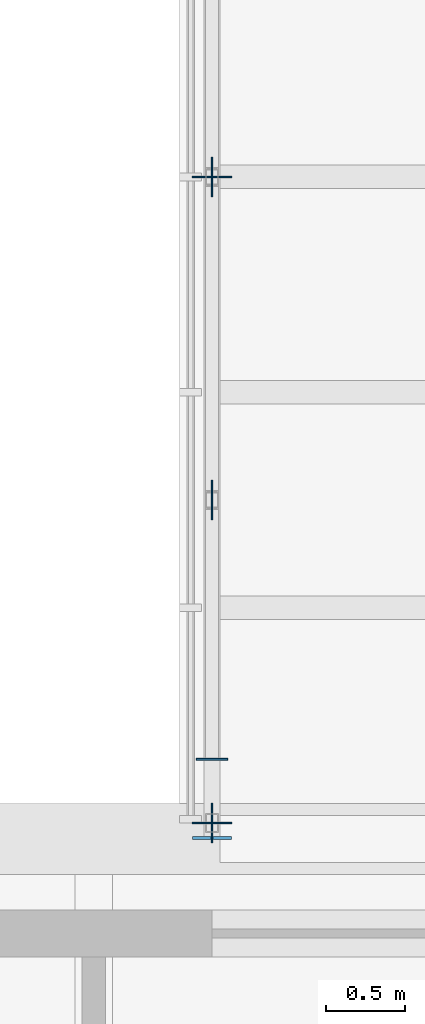
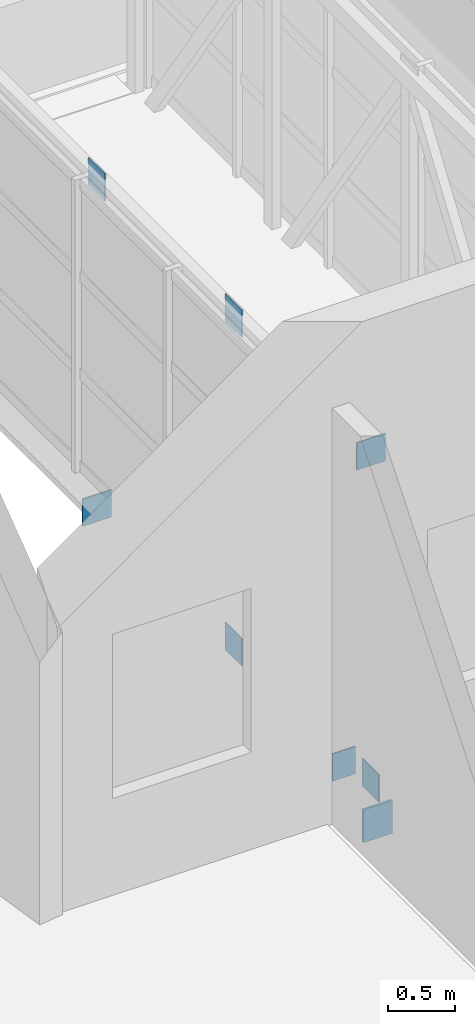
# One storey, part 37 of 67: 8 plates.
"""IFC4 building model written with IfcOpenShell, lengths in metres."""

from ifc_helpers import new_model, si_unit, direction, frame, origin, origin_2d, place, context, subcontext, project, spatial, rectangle, extrude, material, layer, layer_set, type_object, element, save


model = new_model("IFC4")

# Units and contexts
model_context = context("Model", 3, precision=1e-05, world=origin(), true_north=direction((0.0, 1.0)))
body_context = subcontext(model_context, "Body", "Model", "MODEL_VIEW")
ifc_project = project(units=[si_unit("LENGTHUNIT", "METRE"), si_unit("AREAUNIT", "SQUARE_METRE"), si_unit("VOLUMEUNIT", "CUBIC_METRE"), si_unit("PLANEANGLEUNIT", "RADIAN"), si_unit("MASSUNIT", "GRAM", prefix="KILO")], contexts=[model_context])

# Site, building, storey
site_placement = place(None, origin())
site = spatial("IfcSite", under=ifc_project, at=site_placement, CompositionType="ELEMENT")
building_placement = place(site_placement, origin())
building = spatial("IfcBuilding", under=site, at=building_placement, Name="Kiln Court Media Centre", CompositionType="ELEMENT")
storey_placement = place(building_placement, frame((0.0, 0.0, 19.800048828125)))
storey = spatial("IfcBuildingStorey", under=building, at=storey_placement, Name="L04", CompositionType="ELEMENT", Elevation=19.800048828125)

# Plates
ifc_material_1 = material(Name="Steel ASTM A572 Gr 50", Category="steel")
ifc_layer_1 = layer(ifc_material_1, 0.011962890625)
ifc_layer_set_1 = layer_set([ifc_layer_1], Name="Steel ASTM A572 Gr 50 200x12x250 connection plate")
plate_type_1 = type_object("IfcPlateType", Name="Steel ASTM A572 Gr 50 200x12x250 connection plate", PredefinedType="USERDEFINED", material=ifc_layer_set_1)
plate_1_placement = place(storey_placement, frame((30.14990234375, 25.7060546875, -0.6201171875), z_axis=(0.0, 0.0, 1.0), x_axis=(1.0, 0.0, 0.0)))
element("IfcPlate", 1, at=plate_1_placement, inside=storey, type_object=plate_type_1, Name="bridge BR-2 side truss 1 end 1 seat beam connection plate", ObjectType="CONNECTION PLATE", PredefinedType="USERDEFINED", context=body_context, shape_type="SweptSolid", body=[
    extrude(rectangle(XDim=0.199951171875, YDim=0.011962890625, at=origin_2d()), origin(), (0.0, 0.0, 1.0), 0.25),
])
ifc_material_2 = material(Name="Steel ASTM A572 Gr 50", Category="steel")
ifc_layer_2 = layer(ifc_material_2, 0.02001953125)
ifc_layer_set_2 = layer_set([ifc_layer_2], Name="Steel ASTM A572 Gr 50 250x20x300 seat bracket plate")
plate_type_2 = type_object("IfcPlateType", Name="Steel ASTM A572 Gr 50 250x20x300 seat bracket plate", PredefinedType="USERDEFINED", material=ifc_layer_set_2)
plate_2_placement = place(storey_placement, frame((30.14990234375, 25.205078125, -0.8662109375), z_axis=(0.0, 0.0, 1.0), x_axis=(1.0, 0.0, 0.0)))
element("IfcPlate", 2, at=plate_2_placement, inside=storey, type_object=plate_type_2, Name="bridge BR-2 side truss 1 end 1 seat bracket plate", ObjectType="SEAT BRACKET PLATE", PredefinedType="USERDEFINED", context=body_context, shape_type="SweptSolid", body=[
    extrude(rectangle(XDim=0.25, YDim=0.02001953125, at=origin_2d()), origin(), (0.0, 0.0, 1.0), 0.300048828125),
])
ifc_material_3 = material(Name="Steel ASTM A572 Gr 50", Category="steel")
ifc_layer_3 = layer(ifc_material_3, 0.010009765625)
ifc_layer_set_3 = layer_set([ifc_layer_3], Name="Steel ASTM A572 Gr 50 250x250x10 connection plate BR")
plate_type_3 = type_object("IfcPlateType", Name="Steel ASTM A572 Gr 50 250x250x10 connection plate BR", PredefinedType="USERDEFINED", material=ifc_layer_set_3)
plate_3_placement = place(storey_placement, frame((30.14990234375, 25.300048828125, -0.525146484375), z_axis=(0.0, 0.0, 1.0), x_axis=(1.0, 0.0, 0.0)))
element("IfcPlate", 3, at=plate_3_placement, inside=storey, type_object=plate_type_3, Name="BR node connection plate", ObjectType="CONNECTION PLATE", PredefinedType="USERDEFINED", context=body_context, shape_type="SweptSolid", body=[
    extrude(rectangle(XDim=0.010009765625, YDim=0.25, at=origin_2d()), origin(), (0.0, 0.0, 1.0), 0.25),
])
plate_4_placement = place(storey_placement, frame((30.14990234375, 25.300048828125, 2.474853515625), z_axis=(0.0, 0.0, 1.0), x_axis=(1.0, 0.0, 0.0)))
element("IfcPlate", 4, at=plate_4_placement, inside=storey, type_object=plate_type_3, Name="BR node connection plate", ObjectType="CONNECTION PLATE", PredefinedType="USERDEFINED", context=body_context, shape_type="SweptSolid", body=[
    extrude(rectangle(XDim=0.25, YDim=0.010009765625, at=origin_2d()), origin(), (0.0, 0.0, 1.0), 0.25),
])
for number, where, z_axis, x_axis, name in (
    (5, (30.14990234375, 27.35009765625, -0.525146484375), (0.0, 0.0, 1.0), (1.0, 0.0, 0.0), "BR node connection plate"),
    (6, (30.14990234375, 27.35009765625, 2.474853515625), (0.0, 0.0, 1.0), (1.0, 0.0, 0.0), "BR node connection plate"),
):
    element("IfcPlate", number, at=place(storey_placement, frame(where, z_axis=z_axis, x_axis=x_axis)), inside=storey, type_object=plate_type_3, Name=name, ObjectType="CONNECTION PLATE", PredefinedType="USERDEFINED", context=body_context, shape_type="SweptSolid", body=[
        extrude(rectangle(XDim=0.010009765625, YDim=0.25, at=origin_2d()), origin(), (0.0, 0.0, 1.0), 0.25),
    ])
plate_5_placement = place(storey_placement, frame((30.14990234375, 29.39990234375, -0.525146484375), z_axis=(0.0, 0.0, 1.0), x_axis=(1.0, 0.0, 0.0)))
element("IfcPlate", 7, at=plate_5_placement, inside=storey, type_object=plate_type_3, Name="BR node connection plate", ObjectType="CONNECTION PLATE", PredefinedType="USERDEFINED", context=body_context, shape_type="SweptSolid", body=[
    extrude(rectangle(XDim=0.25, YDim=0.010009765625, at=origin_2d()), origin(), (0.0, 0.0, 1.0), 0.25),
])
plate_6_placement = place(storey_placement, frame((30.14990234375, 29.39990234375, 2.474853515625), z_axis=(0.0, 0.0, 1.0), x_axis=(1.0, 0.0, 0.0)))
element("IfcPlate", 8, at=plate_6_placement, inside=storey, type_object=plate_type_3, Name="BR node connection plate", ObjectType="CONNECTION PLATE", PredefinedType="USERDEFINED", context=body_context, shape_type="SweptSolid", body=[
    extrude(rectangle(XDim=0.010009765625, YDim=0.25, at=origin_2d()), origin(), (0.0, 0.0, 1.0), 0.25),
])

save(model, "model.ifc")
